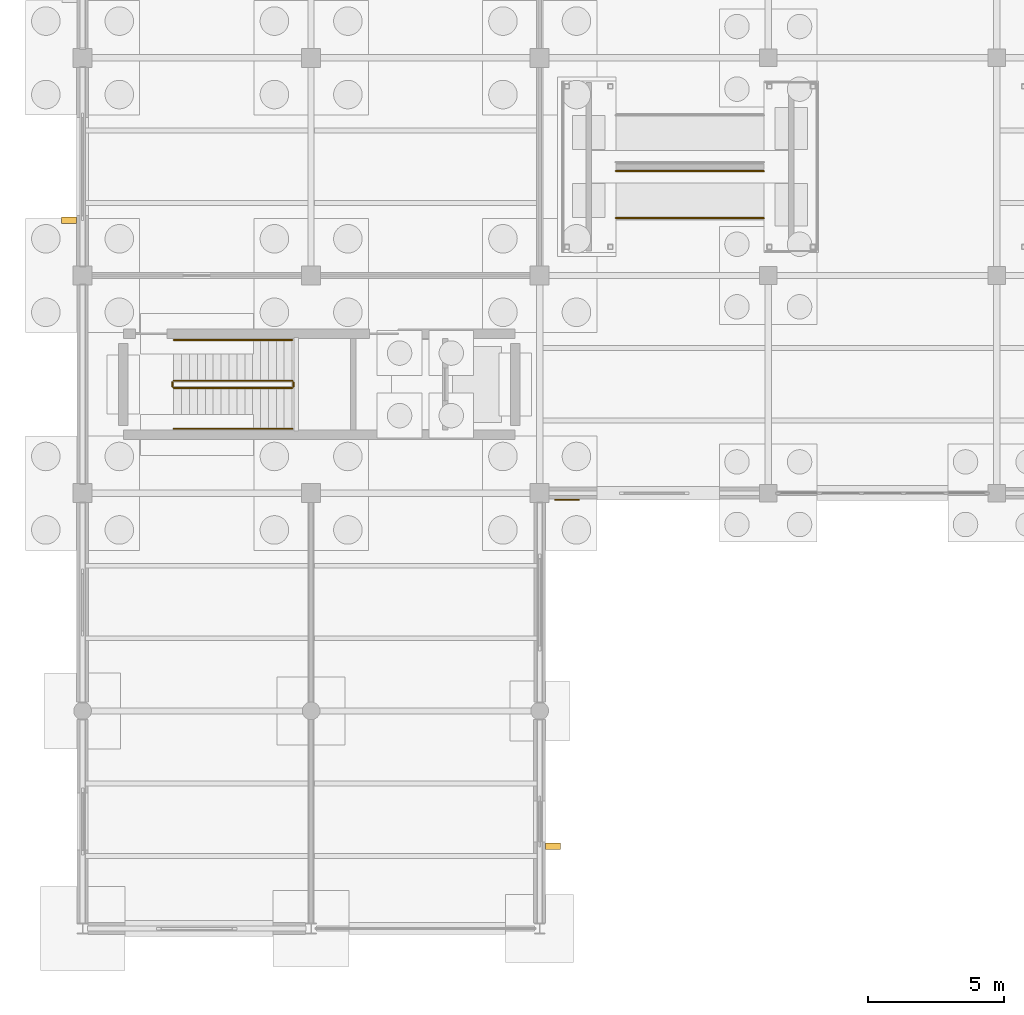
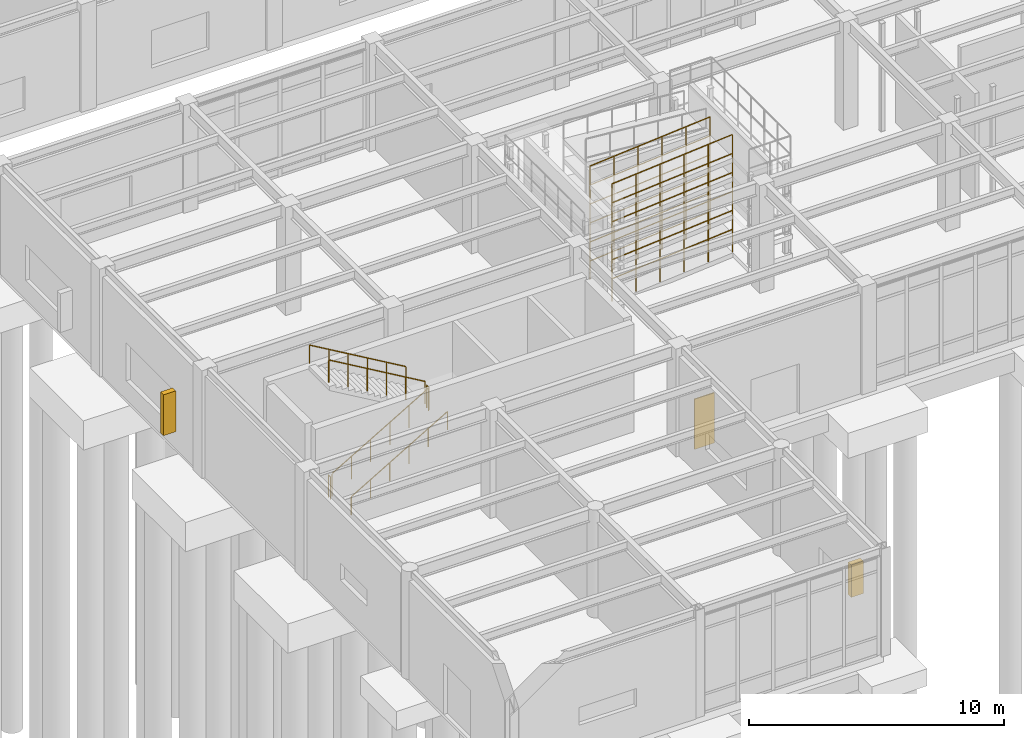
# One storey, part 124 of 138: 18 railings, 2 shading devices, 1 covering.
"""IFC4 building model written with IfcOpenShell, lengths in metres."""

from ifc_helpers import new_model, si_unit, direction, frame, origin, origin_2d, place, context, subcontext, project, spatial, rectangle, circle, extrude, material, layer, layer_set, type_object, element, save


model = new_model("IFC4")

# Units and contexts
model_context = context("Model", 3, precision=1e-05, world=origin(), true_north=direction((0.0, 1.0)))
body_context = subcontext(model_context, "Body", "Model", "MODEL_VIEW")
ifc_project = project(units=[si_unit("LENGTHUNIT", "METRE"), si_unit("AREAUNIT", "SQUARE_METRE"), si_unit("VOLUMEUNIT", "CUBIC_METRE"), si_unit("PLANEANGLEUNIT", "RADIAN"), si_unit("MASSUNIT", "GRAM", prefix="KILO")], contexts=[model_context])

# Site, building, storey
site_placement = place(None, origin())
site = spatial("IfcSite", under=ifc_project, at=site_placement, CompositionType="ELEMENT")
building_placement = place(site_placement, origin())
building = spatial("IfcBuilding", under=site, at=building_placement, Name="Kranzveld Transit Interchange", CompositionType="ELEMENT")
storey_placement = place(building_placement, origin())
storey = spatial("IfcBuildingStorey", under=building, at=storey_placement, Name="L00", CompositionType="ELEMENT", Elevation=0.0)

# Shading devices
ifc_material_1 = material(Name="Bronze-anodised thermally broken aluminium", Category="aluminium")
shading_device_type = type_object("IfcShadingDeviceType", Name="East-West Deep Clinker Solar Fin", PredefinedType="USERDEFINED", material=ifc_material_1)
shading_device_1_placement = place(storey_placement, frame((-0.4951171875, 26.0400390625, 0.8251953125), z_axis=(0.0, 0.0, 1.0), x_axis=(0.0, 1.0, 0.0)))
element("IfcShadingDevice", 1, at=shading_device_1_placement, inside=storey, type_object=shading_device_type, Name="L00 Vertical Solar Fin 01/D", ObjectType="SOLAR FIN", PredefinedType="USERDEFINED", context=body_context, shape_type="SweptSolid", body=[
    extrude(rectangle(XDim=0.239990234375, YDim=0.550048828125, at=origin_2d()), origin(), (0.0, 0.0, 1.0), 1.949951171875),
])
shading_device_2_placement = place(storey_placement, frame((17.294921875, 3.02587890625, 0.8251953125), z_axis=(0.0, 0.0, 1.0), x_axis=(0.0, 1.0, 0.0)))
element("IfcShadingDevice", 2, at=shading_device_2_placement, inside=storey, type_object=shading_device_type, Name="L00 Vertical Solar Fin 03/A", ObjectType="SOLAR FIN", PredefinedType="USERDEFINED", context=body_context, shape_type="SweptSolid", body=[
    extrude(rectangle(XDim=0.239990234375, YDim=0.550048828125, at=origin_2d()), origin(), (0.0, 0.0, 1.0), 1.550048828125),
])

# Covering
ifc_material_2 = material(Name="Ochre Pretoria sandstone cladding, 45 MPa", Category="masonry")
ifc_layer = layer(ifc_material_2, 0.044921875)
ifc_layer_set = layer_set([ifc_layer], Name="Ochre Pretoria sandstone cladding, 45 MPa")
covering_type = type_object("IfcCoveringType", Name="Ochre Pretoria Sandstone Pier Cladding 45", PredefinedType="CLADDING", material=ifc_layer_set)
covering_placement = place(storey_placement, frame((17.800048828125, 15.757568359375, 0.0), z_axis=(0.0, 0.0, 1.0), x_axis=(1.0, 0.0, 0.0)))
element("IfcCovering", 3, at=covering_placement, inside=storey, type_object=covering_type, Name="L00 Sandstone Plinth Cladding 10", PredefinedType="CLADDING", context=body_context, shape_type="SweptSolid", body=[
    extrude(rectangle(XDim=0.89990234375, YDim=0.044921875, at=origin_2d()), origin(), (0.0, 0.0, 1.0), 2.39990234375),
])

# Railings
ifc_material_3 = material(Name="Steel S355JR", Category="steel")
railing_type_1 = type_object("IfcRailingType", Name="Stair & Ramp Handrail Steel 900", PredefinedType="HANDRAIL", material=ifc_material_3)
railing_1_placement = place(storey_placement, frame((3.35009765625, 18.3701171875, 0.169921875)))
element("IfcRailing", 4, at=railing_1_placement, inside=storey, type_object=railing_type_1, Name="L00 ST-CY1 stair handrail 1", PredefinedType="HANDRAIL", context=body_context, shape_type="SweptSolid", body=[
    extrude(circle(Radius=0.02392578125, at=origin_2d()), frame((0.0, 0.0, 0.8759765625), z_axis=(0.862686314962, 0.0, 0.505739381477), x_axis=(0.0, 1.0, 0.0)), (0.0, 0.0, 1.0), 5.042236328125),
    extrude(circle(Radius=0.02099609375, at=origin_2d()), origin(), (0.0, 0.0, 1.0), 0.849853515625),
    extrude(circle(Radius=0.02099609375, at=origin_2d()), frame((0.869873046875, 0.0, 0.510009765625)), (0.0, 0.0, 1.0), 0.849853515625),
    extrude(circle(Radius=0.02099609375, at=origin_2d()), frame((1.739990234375, 0.0, 1.02001953125)), (0.0, 0.0, 1.0), 0.849853515625),
    extrude(circle(Radius=0.02099609375, at=origin_2d()), frame((2.60986328125, 0.0, 1.530029296875)), (0.0, 0.0, 1.0), 0.849853515625),
    extrude(circle(Radius=0.02099609375, at=origin_2d()), frame((3.47998046875, 0.0, 2.0400390625)), (0.0, 0.0, 1.0), 0.849853515625),
    extrude(circle(Radius=0.02099609375, at=origin_2d()), frame((4.349853515625, 0.0, 2.550048828125)), (0.0, 0.0, 1.0), 0.849853515625),
])
railing_2_placement = place(storey_placement, frame((7.699951171875, 21.6298828125, 2.889892578125)))
element("IfcRailing", 5, at=railing_2_placement, inside=storey, type_object=railing_type_1, Name="L00 ST-CY1 stair handrail 2", PredefinedType="HANDRAIL", context=body_context, shape_type="SweptSolid", body=[
    extrude(circle(Radius=0.02392578125, at=origin_2d()), frame((0.0, 0.0, 0.8759765625), z_axis=(-0.862686314962, 0.0, 0.505739381477), x_axis=(0.0, -1.0, 0.0)), (0.0, 0.0, 1.0), 5.042236328125),
    extrude(circle(Radius=0.02099609375, at=origin_2d()), origin(), (0.0, 0.0, 1.0), 0.849853515625),
    extrude(circle(Radius=0.02099609375, at=origin_2d()), frame((-0.869873046875, 0.0, 0.510009765625)), (0.0, 0.0, 1.0), 0.849853515625),
    extrude(circle(Radius=0.02099609375, at=origin_2d()), frame((-1.739990234375, 0.0, 1.02001953125)), (0.0, 0.0, 1.0), 0.849853515625),
    extrude(circle(Radius=0.02099609375, at=origin_2d()), frame((-2.60986328125, 0.0, 1.530029296875)), (0.0, 0.0, 1.0), 0.849853515625),
    extrude(circle(Radius=0.02099609375, at=origin_2d()), frame((-3.47998046875, 0.0, 2.0400390625)), (0.0, 0.0, 1.0), 0.849853515625),
    extrude(circle(Radius=0.02099609375, at=origin_2d()), frame((-4.349853515625, 0.0, 2.550048828125)), (0.0, 0.0, 1.0), 0.849853515625),
])
for number, where, name in (
    (6, (19.60009765625, 27.840087890625, 0.0), "RMP-1 Flight 1 Rail H"),
    (7, (19.60009765625, 27.840087890625, 0.90673828125), "RMP-1 Flight 3 Rail H"),
    (8, (19.60009765625, 27.840087890625, 1.813232421875), "RMP-1 Flight 5 Rail H"),
    (9, (19.60009765625, 27.840087890625, 2.719970703125), "RMP-1 Flight 7 Rail H"),
    (10, (19.60009765625, 27.840087890625, 3.626708984375), "RMP-1 Flight 9 Rail H"),
):
    element("IfcRailing", number, at=place(storey_placement, frame(where)), inside=storey, type_object=railing_type_1, Name=name, PredefinedType="HANDRAIL", context=body_context, shape_type="SweptSolid", body=[
        extrude(circle(Radius=0.02392578125, at=origin_2d()), frame((0.0, 0.0, 0.8759765625), z_axis=(0.996545141332, 0.0, 0.083052882481), x_axis=(0.0, 1.0, 0.0)), (0.0, 0.0, 1.0), 5.458740234375),
        extrude(circle(Radius=0.02099609375, at=origin_2d()), origin(), (0.0, 0.0, 1.0), 0.849853515625),
        extrude(circle(Radius=0.02099609375, at=origin_2d()), frame((1.087890625, 0.0, 0.090576171875)), (0.0, 0.0, 1.0), 0.849853515625),
        extrude(circle(Radius=0.02099609375, at=origin_2d()), frame((2.176025390625, 0.0, 0.181396484375)), (0.0, 0.0, 1.0), 0.849853515625),
        extrude(circle(Radius=0.02099609375, at=origin_2d()), frame((3.263916015625, 0.0, 0.27197265625)), (0.0, 0.0, 1.0), 0.849853515625),
        extrude(circle(Radius=0.02099609375, at=origin_2d()), frame((4.35205078125, 0.0, 0.36279296875)), (0.0, 0.0, 1.0), 0.849853515625),
        extrude(circle(Radius=0.02099609375, at=origin_2d()), frame((5.43994140625, 0.0, 0.453369140625)), (0.0, 0.0, 1.0), 0.849853515625),
    ])
railing_3_placement = place(storey_placement, frame((19.60009765625, 27.840087890625, 4.533447265625)))
element("IfcRailing", 11, at=railing_3_placement, inside=storey, type_object=railing_type_1, Name="RMP-1 Flight 11 Rail H", PredefinedType="HANDRAIL", context=body_context, shape_type="SweptSolid", body=[
    extrude(circle(Radius=0.02392578125, at=origin_2d()), frame((0.0, 0.0, 0.8759765625), z_axis=(0.996548841998, 0.0, 0.083008466509), x_axis=(0.0, 1.0, 0.0)), (0.0, 0.0, 1.0), 5.458740234375),
    extrude(circle(Radius=0.02099609375, at=origin_2d()), origin(), (0.0, 0.0, 1.0), 0.849853515625),
    extrude(circle(Radius=0.02099609375, at=origin_2d()), frame((1.087890625, 0.0, 0.090576171875)), (0.0, 0.0, 1.0), 0.849853515625),
    extrude(circle(Radius=0.02099609375, at=origin_2d()), frame((2.176025390625, 0.0, 0.18115234375)), (0.0, 0.0, 1.0), 0.849853515625),
    extrude(circle(Radius=0.02099609375, at=origin_2d()), frame((3.263916015625, 0.0, 0.27197265625)), (0.0, 0.0, 1.0), 0.849853515625),
    extrude(circle(Radius=0.02099609375, at=origin_2d()), frame((4.35205078125, 0.0, 0.362548828125)), (0.0, 0.0, 1.0), 0.849853515625),
    extrude(circle(Radius=0.02099609375, at=origin_2d()), frame((5.43994140625, 0.0, 0.453125)), (0.0, 0.0, 1.0), 0.849853515625),
])
ifc_material_4 = material(Name="Steel S355JR", Category="steel")
railing_type_2 = type_object("IfcRailingType", Name="Stair Well Guardrail Steel 1100", PredefinedType="GUARDRAIL", material=ifc_material_4)
railing_4_placement = place(storey_placement, frame((3.35009765625, 19.8701171875, 0.169921875)))
element("IfcRailing", 12, at=railing_4_placement, inside=storey, type_object=railing_type_2, Name="L00 ST-CY1 stair guard 1", PredefinedType="GUARDRAIL", context=body_context, shape_type="SweptSolid", body=[
    extrude(circle(Radius=0.02392578125, at=origin_2d()), frame((0.0, 0.0, 1.076171875), z_axis=(0.862686314962, 0.0, 0.505739381477), x_axis=(0.0, 1.0, 0.0)), (0.0, 0.0, 1.0), 5.042236328125),
    extrude(circle(Radius=0.02099609375, at=origin_2d()), origin(), (0.0, 0.0, 1.0), 1.050048828125),
    extrude(circle(Radius=0.02099609375, at=origin_2d()), frame((0.869873046875, 0.0, 0.510009765625)), (0.0, 0.0, 1.0), 1.050048828125),
    extrude(circle(Radius=0.02099609375, at=origin_2d()), frame((1.739990234375, 0.0, 1.02001953125)), (0.0, 0.0, 1.0), 1.050048828125),
    extrude(circle(Radius=0.02099609375, at=origin_2d()), frame((2.60986328125, 0.0, 1.530029296875)), (0.0, 0.0, 1.0), 1.050048828125),
    extrude(circle(Radius=0.02099609375, at=origin_2d()), frame((3.47998046875, 0.0, 2.0400390625)), (0.0, 0.0, 1.0), 1.050048828125),
    extrude(circle(Radius=0.02099609375, at=origin_2d()), frame((4.349853515625, 0.0, 2.550048828125)), (0.0, 0.0, 1.0), 1.050048828125),
])
railing_5_placement = place(storey_placement, frame((7.75, 19.919921875, 2.719970703125)))
element("IfcRailing", 13, at=railing_5_placement, inside=storey, type_object=railing_type_2, Name="L00 ST-CY1 stair guard 2", PredefinedType="GUARDRAIL", context=body_context, shape_type="SweptSolid", body=[
    extrude(circle(Radius=0.02392578125, at=origin_2d()), frame((0.0, 0.0, 1.076171875), z_axis=(0.0, 1.0, 0.0), x_axis=(-1.0, 0.0, 0.0)), (0.0, 0.0, 1.0), 0.16015625),
    extrude(circle(Radius=0.02099609375, at=origin_2d()), origin(), (0.0, 0.0, 1.0), 1.050048828125),
    extrude(circle(Radius=0.02099609375, at=origin_2d()), frame((0.0, 0.16015625, 0.0)), (0.0, 0.0, 1.0), 1.050048828125),
])
railing_6_placement = place(storey_placement, frame((7.699951171875, 20.1298828125, 2.889892578125)))
element("IfcRailing", 14, at=railing_6_placement, inside=storey, type_object=railing_type_2, Name="L00 ST-CY1 stair guard 3", PredefinedType="GUARDRAIL", context=body_context, shape_type="SweptSolid", body=[
    extrude(circle(Radius=0.02392578125, at=origin_2d()), frame((0.0, 0.0, 1.076171875), z_axis=(-0.862686314962, 0.0, 0.505739381477), x_axis=(0.0, -1.0, 0.0)), (0.0, 0.0, 1.0), 5.042236328125),
    extrude(circle(Radius=0.02099609375, at=origin_2d()), origin(), (0.0, 0.0, 1.0), 1.050048828125),
    extrude(circle(Radius=0.02099609375, at=origin_2d()), frame((-0.869873046875, 0.0, 0.510009765625)), (0.0, 0.0, 1.0), 1.050048828125),
    extrude(circle(Radius=0.02099609375, at=origin_2d()), frame((-1.739990234375, 0.0, 1.02001953125)), (0.0, 0.0, 1.0), 1.050048828125),
    extrude(circle(Radius=0.02099609375, at=origin_2d()), frame((-2.60986328125, 0.0, 1.530029296875)), (0.0, 0.0, 1.0), 1.050048828125),
    extrude(circle(Radius=0.02099609375, at=origin_2d()), frame((-3.47998046875, 0.0, 2.0400390625)), (0.0, 0.0, 1.0), 1.050048828125),
    extrude(circle(Radius=0.02099609375, at=origin_2d()), frame((-4.349853515625, 0.0, 2.550048828125)), (0.0, 0.0, 1.0), 1.050048828125),
])
railing_7_placement = place(storey_placement, frame((3.300048828125, 19.919921875, 0.0)))
element("IfcRailing", 15, at=railing_7_placement, inside=storey, type_object=railing_type_2, Name="L00 ST-CY1 stair guard 4", PredefinedType="GUARDRAIL", context=body_context, shape_type="SweptSolid", body=[
    extrude(circle(Radius=0.02392578125, at=origin_2d()), frame((0.0, 0.0, 1.076171875), z_axis=(0.0, 1.0, 0.0), x_axis=(-1.0, 0.0, 0.0)), (0.0, 0.0, 1.0), 0.16015625),
    extrude(circle(Radius=0.02099609375, at=origin_2d()), origin(), (0.0, 0.0, 1.0), 1.050048828125),
    extrude(circle(Radius=0.02099609375, at=origin_2d()), frame((0.0, 0.16015625, 0.0)), (0.0, 0.0, 1.0), 1.050048828125),
])
for number, where, name in (
    (16, (19.60009765625, 26.110107421875, 0.0), "RMP-1 Flight 1 Rail G"),
    (17, (19.60009765625, 26.110107421875, 0.90673828125), "RMP-1 Flight 3 Rail G"),
    (18, (19.60009765625, 26.110107421875, 1.813232421875), "RMP-1 Flight 5 Rail G"),
    (19, (19.60009765625, 26.110107421875, 2.719970703125), "RMP-1 Flight 7 Rail G"),
    (20, (19.60009765625, 26.110107421875, 3.626708984375), "RMP-1 Flight 9 Rail G"),
):
    element("IfcRailing", number, at=place(storey_placement, frame(where)), inside=storey, type_object=railing_type_2, Name=name, PredefinedType="GUARDRAIL", context=body_context, shape_type="SweptSolid", body=[
        extrude(circle(Radius=0.02392578125, at=origin_2d()), frame((0.0, 0.0, 1.076171875), z_axis=(0.996545141332, 0.0, 0.083052882481), x_axis=(0.0, 1.0, 0.0)), (0.0, 0.0, 1.0), 5.458740234375),
        extrude(circle(Radius=0.02099609375, at=origin_2d()), origin(), (0.0, 0.0, 1.0), 1.050048828125),
        extrude(circle(Radius=0.02099609375, at=origin_2d()), frame((1.087890625, 0.0, 0.090576171875)), (0.0, 0.0, 1.0), 1.050048828125),
        extrude(circle(Radius=0.02099609375, at=origin_2d()), frame((2.176025390625, 0.0, 0.181396484375)), (0.0, 0.0, 1.0), 1.050048828125),
        extrude(circle(Radius=0.02099609375, at=origin_2d()), frame((3.263916015625, 0.0, 0.27197265625)), (0.0, 0.0, 1.0), 1.050048828125),
        extrude(circle(Radius=0.02099609375, at=origin_2d()), frame((4.35205078125, 0.0, 0.36279296875)), (0.0, 0.0, 1.0), 1.050048828125),
        extrude(circle(Radius=0.02099609375, at=origin_2d()), frame((5.43994140625, 0.0, 0.453369140625)), (0.0, 0.0, 1.0), 1.050048828125),
    ])
railing_8_placement = place(storey_placement, frame((19.60009765625, 26.110107421875, 4.533447265625)))
element("IfcRailing", 21, at=railing_8_placement, inside=storey, type_object=railing_type_2, Name="RMP-1 Flight 11 Rail G", PredefinedType="GUARDRAIL", context=body_context, shape_type="SweptSolid", body=[
    extrude(circle(Radius=0.02392578125, at=origin_2d()), frame((0.0, 0.0, 1.076171875), z_axis=(0.996548841998, 0.0, 0.083008466509), x_axis=(0.0, 1.0, 0.0)), (0.0, 0.0, 1.0), 5.458740234375),
    extrude(circle(Radius=0.02099609375, at=origin_2d()), origin(), (0.0, 0.0, 1.0), 1.050048828125),
    extrude(circle(Radius=0.02099609375, at=origin_2d()), frame((1.087890625, 0.0, 0.090576171875)), (0.0, 0.0, 1.0), 1.050048828125),
    extrude(circle(Radius=0.02099609375, at=origin_2d()), frame((2.176025390625, 0.0, 0.18115234375)), (0.0, 0.0, 1.0), 1.050048828125),
    extrude(circle(Radius=0.02099609375, at=origin_2d()), frame((3.263916015625, 0.0, 0.27197265625)), (0.0, 0.0, 1.0), 1.050048828125),
    extrude(circle(Radius=0.02099609375, at=origin_2d()), frame((4.35205078125, 0.0, 0.362548828125)), (0.0, 0.0, 1.0), 1.050048828125),
    extrude(circle(Radius=0.02099609375, at=origin_2d()), frame((5.43994140625, 0.0, 0.453125)), (0.0, 0.0, 1.0), 1.050048828125),
])

save(model, "model.ifc")
